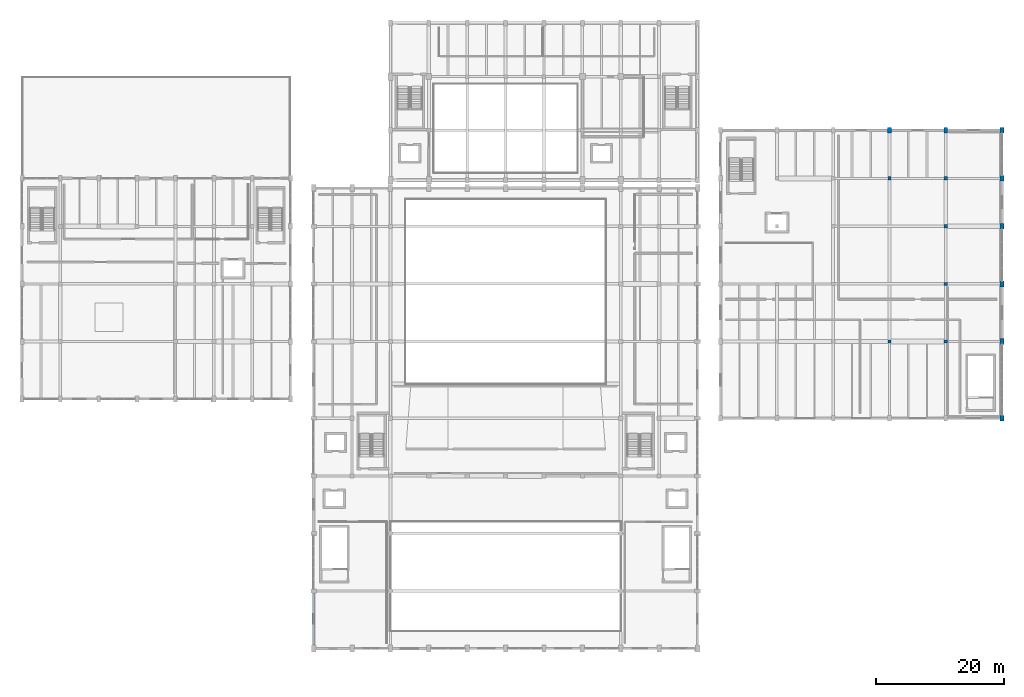
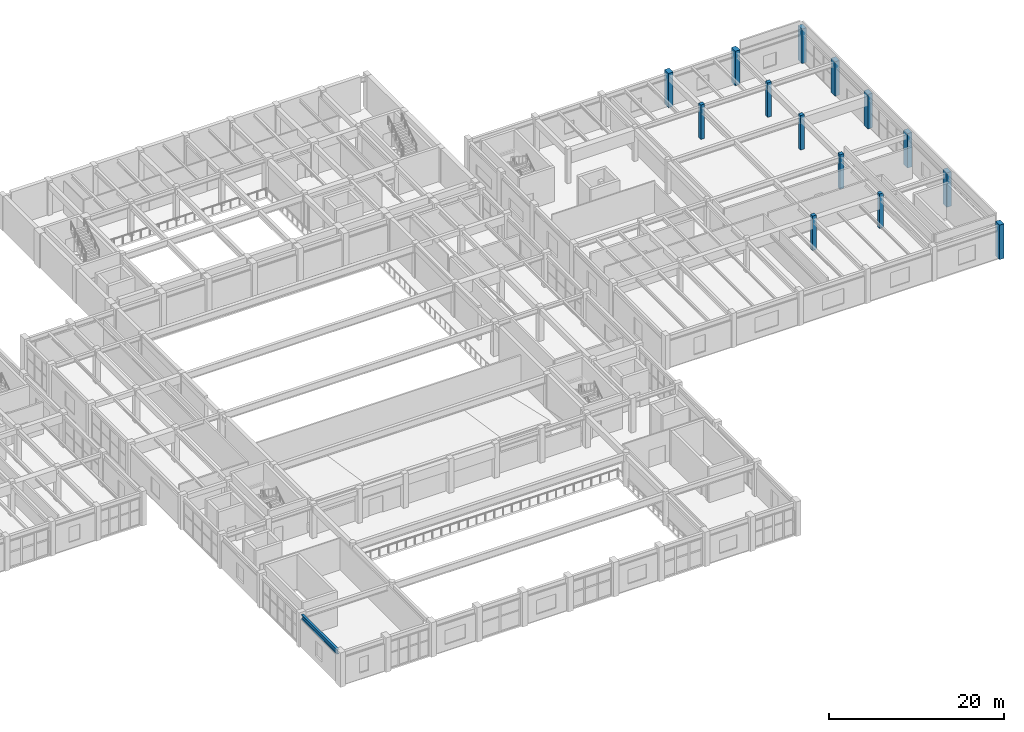
# One storey, part 2 of 80: 14 columns, 1 beam.
"""IFC4 building model written with IfcOpenShell, lengths in metres."""

import ifcopenshell
import ifcopenshell.guid

model = None  # the IFC model being written
_history = None  # IfcOwnerHistory: only IFC2X3 demands one
_inside = {}  # id of a spatial element -> (the spatial element, [elements in it])
_under = {}  # id of a project, library or spatial element -> (it, [spatial elements below it])
_declared = {}  # id of a project -> (the project, [libraries it declares])
_typed = {}  # id of a type object -> (the type object, [elements of that type])
_made_of = {}  # id of a material, layer set ... -> (it, [elements and type objects made of it])


def new_model(schema):
    """Start an empty IFC model of exactly this schema.

    Asked for "IFC4X3", IfcOpenShell would pick the latest addendum, in which some entities
    have other attributes; the version numbers below select the first issue.
    IFC2X3 requires an IfcOwnerHistory on every rooted entity: one is made here for all.
    """
    global model, _history
    if schema == "IFC4X3":
        model = ifcopenshell.file(schema_version=(4, 3, 0, 0))
    else:
        model = ifcopenshell.file(schema=schema)
    _inside.clear()
    _under.clear()
    _declared.clear()
    _typed.clear()
    _made_of.clear()
    _history = None
    if model.schema == "IFC2X3":
        org = make("IfcOrganization", Name="unknown")
        user = make(
            "IfcPersonAndOrganization",
            ThePerson=make("IfcPerson", FamilyName="unknown"),
            TheOrganization=org,
        )
        app = make(
            "IfcApplication",
            ApplicationDeveloper=org,
            Version="unknown",
            ApplicationFullName="unknown",
            ApplicationIdentifier="unknown",
        )
        _history = make(
            "IfcOwnerHistory",
            OwningUser=user,
            OwningApplication=app,
            ChangeAction="ADDED",
            CreationDate=0,
        )
    return model


def make(cls, **values):
    """One entity of the class cls with the attributes given. An attribute that is None is left unset."""
    return model.create_entity(
        cls, **{name: value for name, value in values.items() if value is not None}
    )


def rooted(cls, **values):
    """An entity with a GlobalId (a new one), such as an element, a storey or a relation."""
    return make(cls, GlobalId=ifcopenshell.guid.new(), OwnerHistory=_history, **values)


def si_unit(unit_type, name, prefix=None):
    """IfcSIUnit, for example si_unit("LENGTHUNIT", "METRE", prefix="MILLI")."""
    return make("IfcSIUnit", UnitType=unit_type, Prefix=prefix, Name=name)


def assignment(units):
    """IfcUnitAssignment: the units of a project."""
    return None if units is None else make("IfcUnitAssignment", Units=units)


def point(xyz):
    """IfcCartesianPoint."""
    return None if xyz is None else make("IfcCartesianPoint", Coordinates=xyz)


def direction(xyz):
    """IfcDirection."""
    return None if xyz is None else make("IfcDirection", DirectionRatios=xyz)


def frame(location, z_axis=None, x_axis=None):
    """IfcAxis2Placement3D, a coordinate frame: its origin and axes. An axis left out is left unset."""
    return make(
        "IfcAxis2Placement3D",
        Location=point(location),
        Axis=direction(z_axis),
        RefDirection=direction(x_axis),
    )


def frame_2d(location, x_axis=None):
    """IfcAxis2Placement2D, a coordinate frame in the plane: its origin and x axis."""
    return make(
        "IfcAxis2Placement2D", Location=point(location), RefDirection=direction(x_axis)
    )


def origin():
    """The frame at (0, 0, 0) with its axes left unset."""
    return frame((0.0, 0.0, 0.0))


def origin_2d():
    """The frame at (0, 0) in the plane with its x axis left unset."""
    return frame_2d((0.0, 0.0))


def place(relative_to, where):
    """IfcLocalPlacement: puts the frame where relative to a parent placement (None: the world)."""
    return make(
        "IfcLocalPlacement", PlacementRelTo=relative_to, RelativePlacement=where
    )


def context(
    kind, dimensions, precision=None, world=None, true_north=None, identifier=None
):
    """IfcGeometricRepresentationContext, for example the 3D "Model" context."""
    return make(
        "IfcGeometricRepresentationContext",
        ContextIdentifier=identifier,
        ContextType=kind,
        CoordinateSpaceDimension=dimensions,
        Precision=precision,
        WorldCoordinateSystem=world,
        TrueNorth=true_north,
    )


def subcontext(parent, identifier, kind, view, scale=None):
    """IfcGeometricRepresentationSubContext, for example "Body" below "Model"."""
    return make(
        "IfcGeometricRepresentationSubContext",
        ContextIdentifier=identifier,
        ContextType=kind,
        ParentContext=parent,
        TargetScale=scale,
        TargetView=view,
    )


def project(units=None, contexts=None):
    """IfcProject with its units and contexts."""
    return rooted(
        "IfcProject",
        Name="project",
        RepresentationContexts=contexts,
        UnitsInContext=assignment(units),
    )


def spatial(cls, under=None, at=None, **own):
    """A site, building, storey or space (cls), placed at a placement, below another one or the project."""
    s = rooted(cls, ObjectPlacement=at, **own)
    if under is not None:
        _under.setdefault(under.id(), (under, []))[1].append(s)
    return s


def profile(cls, at=None, kind="AREA", **sizes):
    """A parametric profile (cls). Its sizes go by their IFC names, for example OverallWidth=200.0."""
    return make(cls, ProfileType=kind, Position=at, **sizes)


def rectangle(**sizes):
    """IfcRectangleProfileDef."""
    return profile("IfcRectangleProfileDef", **sizes)


def i_section(**sizes):
    """IfcIShapeProfileDef."""
    return profile("IfcIShapeProfileDef", **sizes)


def extrude(swept, where, along, depth):
    """IfcExtrudedAreaSolid: the profile swept, set in the frame where, extruded along a direction by depth."""
    return make(
        "IfcExtrudedAreaSolid",
        SweptArea=swept,
        Position=where,
        ExtrudedDirection=direction(along),
        Depth=depth,
    )


def shape(context_of_items, identifier, shape_type, items):
    """IfcShapeRepresentation: the items that make up one representation, for example the "Body"."""
    return make(
        "IfcShapeRepresentation",
        ContextOfItems=context_of_items,
        RepresentationIdentifier=identifier,
        RepresentationType=shape_type,
        Items=items,
    )


def material(Name=None, Category=None):
    """IfcMaterial."""
    return make("IfcMaterial", Name=Name, Category=Category)


def material_profile(
    of_material, cross_section, Name=None, Category=None, Priority=None
):
    """IfcMaterialProfile: a cross section and its material."""
    return make(
        "IfcMaterialProfile",
        Name=Name,
        Material=of_material,
        Profile=cross_section,
        Priority=Priority,
        Category=Category,
    )


def profile_set(profiles, Name=None, composite=None):
    """IfcMaterialProfileSet."""
    return make(
        "IfcMaterialProfileSet",
        Name=Name,
        MaterialProfiles=profiles,
        CompositeProfile=composite,
    )


def made_of(thing, what):
    """Note that an element or type object is made of a material, layer set ...; save() writes the relation."""
    if what is not None:
        _made_of.setdefault(what.id(), (what, []))[1].append(thing)
    return thing


def type_object(cls, material=None, **own):
    """A type object (cls), such as IfcWallType, which elements share."""
    return made_of(rooted(cls, **own), material)


def element(
    cls,
    number,
    at=None,
    inside=None,
    cuts=None,
    type_object=None,
    material=None,
    context=None,
    identifier="Body",
    shape_type=None,
    held_by="IfcProductDefinitionShape",
    body=None,
    shapes=None,
    **own,
):
    """One element of the class cls, such as IfcWall. Its Tag is "e" and its number.

    at: its placement. inside: the storey or other place that contains it. cuts: it is an
    opening in that element (IfcRelVoidsElement). A single representation is given by context,
    identifier, shape_type and body (its items); several are given by shapes. held_by: the class
    of the entity that holds the representations. save() writes the other relations.
    """
    e = rooted(cls, Tag="e%d" % number, ObjectPlacement=at, **own)
    if body is not None:
        shapes = [shape(context, identifier, shape_type, body)]
    if shapes is not None:
        e.Representation = make(held_by, Representations=shapes)
    if inside is not None:
        _inside.setdefault(inside.id(), (inside, []))[1].append(e)
    if cuts is not None:
        rooted(
            "IfcRelVoidsElement", RelatingBuildingElement=cuts, RelatedOpeningElement=e
        )
    if type_object is not None:
        _typed.setdefault(type_object.id(), (type_object, []))[1].append(e)
    return made_of(e, material)


def aggregate(whole, parts):
    """IfcRelAggregates: a whole, such as a stair, and the parts it consists of."""
    return rooted("IfcRelAggregates", RelatingObject=whole, RelatedObjects=parts)


def save(model, path):
    """Write the relations noted so far, then the file.

    IfcRelAggregates (storeys below a building ...), IfcRelContainedInSpatialStructure (elements
    in a storey), IfcRelDefinesByType, IfcRelAssociatesMaterial and IfcRelDeclares: one each for
    every whole, place, type object, material and project.
    """
    for whole, parts in _under.values():
        aggregate(whole, parts)
    for where, things in _inside.values():
        rooted(
            "IfcRelContainedInSpatialStructure",
            RelatedElements=things,
            RelatingStructure=where,
        )
    for kind, things in _typed.values():
        rooted("IfcRelDefinesByType", RelatedObjects=things, RelatingType=kind)
    for what, things in _made_of.values():
        rooted("IfcRelAssociatesMaterial", RelatedObjects=things, RelatingMaterial=what)
    for by, libraries in _declared.values():
        rooted("IfcRelDeclares", RelatingContext=by, RelatedDefinitions=libraries)
    model.write(path)


model = new_model("IFC4")

# Units and contexts
model_context = context("Model", 3, precision=1e-05, world=origin(), true_north=direction((0.0, 1.0)))
body_context = subcontext(model_context, "Body", "Model", "MODEL_VIEW")
ifc_project = project(units=[si_unit("LENGTHUNIT", "METRE"), si_unit("AREAUNIT", "SQUARE_METRE"), si_unit("VOLUMEUNIT", "CUBIC_METRE"), si_unit("PLANEANGLEUNIT", "RADIAN"), si_unit("MASSUNIT", "GRAM", prefix="KILO")], contexts=[model_context])

# Site, building, storey
site_placement = place(None, origin())
site = spatial("IfcSite", under=ifc_project, at=site_placement, CompositionType="ELEMENT")
building_placement = place(site_placement, origin())
building = spatial("IfcBuilding", under=site, at=building_placement, Name="Vaelkrest Opera House", CompositionType="ELEMENT")
storey_placement = place(building_placement, frame((0.0, 0.0, 15.0)))
storey = spatial("IfcBuildingStorey", under=building, at=storey_placement, Name="L03", CompositionType="ELEMENT", Elevation=15.0)

# Columns
ifc_material_1 = material(Name="Concrete C50/60", Category="concrete")
ifc_material_profile_1 = material_profile(ifc_material_1, rectangle(XDim=0.5, YDim=0.5, at=origin_2d()), Name="RC500X500")
ifc_profile_set_1 = profile_set([ifc_material_profile_1], Name="Concrete C50/60")
column_type_1 = type_object("IfcColumnType", Name="C01", PredefinedType="COLUMN", material=ifc_profile_set_1)
for number, where, z_axis, x_axis, name in (
    (1, (60.0, -7.800048828125, 0.0), (0.0, 0.0, 1.0), (1.0, 0.0, 0.0), "Column COL-V4-L03-1362"),
    (2, (60.0, 17.699951171875, 0.0), (0.0, 0.0, 1.0), (1.0, 0.0, 0.0), "Column COL-V4-L03-1363"),
    (3, (68.800048828125, -7.800048828125, 0.0), (0.0, 0.0, 1.0), (1.0, 0.0, 0.0), "Column COL-V4-L03-1366"),
    (4, (68.800048828125, 1.199951171875, 0.0), (0.0, 0.0, 1.0), (1.0, 0.0, 0.0), "Column COL-V4-L03-1367"),
    (5, (68.800048828125, 10.199951171875, 0.0), (0.0, 0.0, 1.0), (1.0, 0.0, 0.0), "Column COL-V4-L03-1368"),
    (6, (68.800048828125, 17.699951171875, 0.0), (0.0, 0.0, 1.0), (1.0, 0.0, 0.0), "Column COL-V4-L03-1369"),
):
    element("IfcColumn", number, at=place(storey_placement, frame(where, z_axis=z_axis, x_axis=x_axis)), inside=storey, type_object=column_type_1, Name=name, PredefinedType="COLUMN", context=body_context, shape_type="SweptSolid", body=[
        extrude(rectangle(XDim=0.5, YDim=0.5, at=origin_2d()), origin(), (0.0, 0.0, 1.0), 4.800048828125),
    ])
ifc_material_profile_2 = material_profile(ifc_material_1, rectangle(XDim=0.60009765625, YDim=0.89990234375, at=origin_2d()), Name="RC600X900")
ifc_profile_set_2 = profile_set([ifc_material_profile_2], Name="Concrete C50/60")
column_type_2 = type_object("IfcColumnType", Name="C06", PredefinedType="COLUMN", material=ifc_profile_set_2)
for number, where, z_axis, x_axis, name in (
    (7, (60.0, 25.199951171875, 0.0), (0.0, 0.0, 1.0), (1.0, 0.0, 0.0), "Column COL-V4-L03-1364"),
    (8, (68.800048828125, 25.199951171875, 0.0), (0.0, 0.0, 1.0), (1.0, 0.0, 0.0), "Column COL-V4-L03-1370"),
    (9, (77.60009765625, -19.800048828125, 0.0), (0.0, 0.0, 1.0), (1.0, 0.0, 0.0), "Column COL-V4-L03-1371"),
    (10, (77.60009765625, -7.800048828125, 0.0), (0.0, 0.0, 1.0), (1.0, 0.0, 0.0), "Column COL-V4-L03-1372"),
    (11, (77.60009765625, 1.199951171875, 0.0), (0.0, 0.0, 1.0), (1.0, 0.0, 0.0), "Column COL-V4-L03-1373"),
    (12, (77.60009765625, 10.199951171875, 0.0), (0.0, 0.0, 1.0), (1.0, 0.0, 0.0), "Column COL-V4-L03-1374"),
    (13, (77.60009765625, 17.699951171875, 0.0), (0.0, 0.0, 1.0), (1.0, 0.0, 0.0), "Column COL-V4-L03-1375"),
    (14, (77.60009765625, 25.199951171875, 0.0), (0.0, 0.0, 1.0), (1.0, 0.0, 0.0), "Column COL-V4-L03-1376"),
):
    element("IfcColumn", number, at=place(storey_placement, frame(where, z_axis=z_axis, x_axis=x_axis)), inside=storey, type_object=column_type_2, Name=name, PredefinedType="COLUMN", context=body_context, shape_type="SweptSolid", body=[
        extrude(rectangle(XDim=0.60009765625, YDim=0.89990234375, at=origin_2d()), origin(), (0.0, 0.0, 1.0), 4.800048828125),
    ])

# Beam
ifc_material_2 = material(Name="Steel A992 Gr50", Category="steel")
ifc_material_profile_3 = material_profile(ifc_material_2, i_section(OverallWidth=0.323974609375, OverallDepth=0.611083984375, WebThickness=0.0126953125, FlangeThickness=0.01904296875, at=origin_2d()), Name="W24X104")
ifc_profile_set_3 = profile_set([ifc_material_profile_3], Name="Steel A992 Gr50")
beam_type = type_object("IfcBeamType", Name="SP01", PredefinedType="SPANDREL", material=ifc_profile_set_3)
beam_placement = place(storey_placement, frame((-30.0, -55.25, 4.199462890625), z_axis=(0.0, 1.0, 0.0), x_axis=(-1.0, 0.0, 0.0)))
element("IfcBeam", 15, at=beam_placement, inside=storey, type_object=beam_type, Name="Beam BM-V1-L03-0473", PredefinedType="SPANDREL", context=body_context, shape_type="SweptSolid", body=[
    extrude(i_section(OverallWidth=0.323974609375, OverallDepth=0.611083984375, WebThickness=0.0126953125, FlangeThickness=0.01904296875, at=origin_2d()), origin(), (0.0, 0.0, 1.0), 8.14990234375),
])

save(model, "model.ifc")
